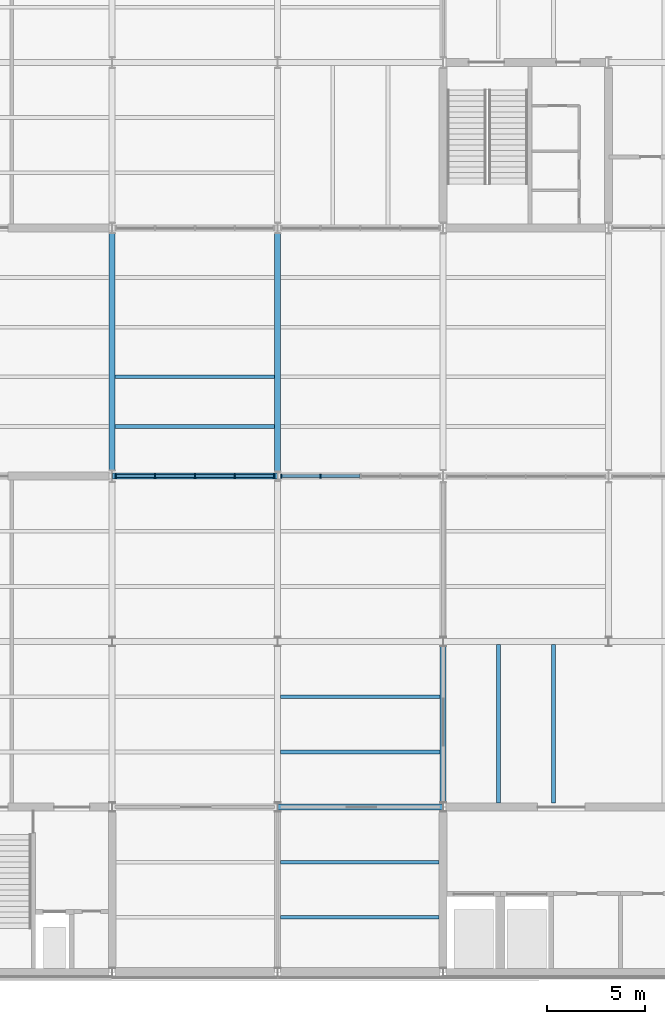
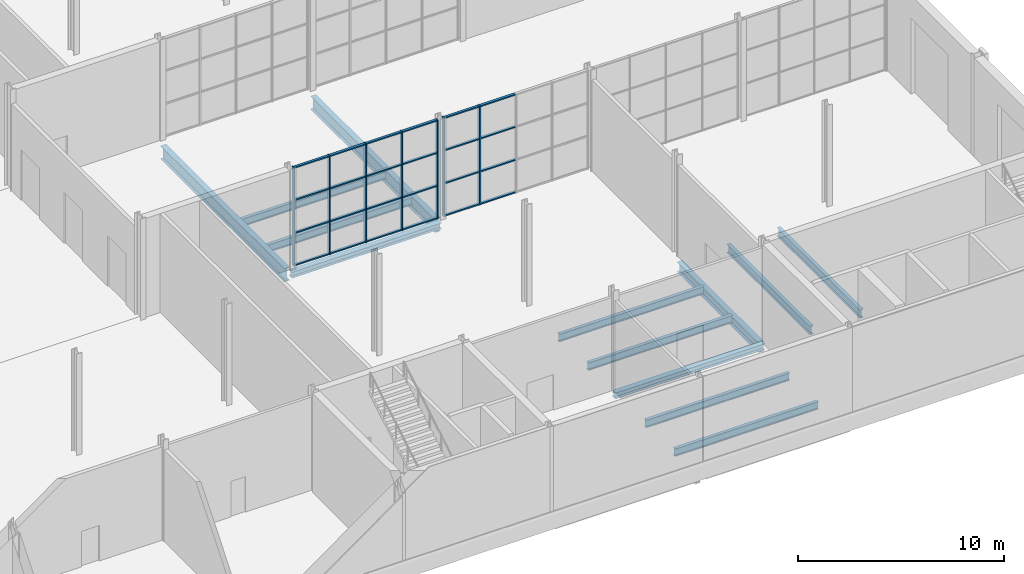
# One storey, part 20 of 55: 31 members, 13 beams, 2 elements without a shape of their own.
"""IFC4 building model written with IfcOpenShell, lengths in metres."""

import ifcopenshell
import ifcopenshell.guid

model = None  # the IFC model being written
_history = None  # IfcOwnerHistory: only IFC2X3 demands one
_inside = {}  # id of a spatial element -> (the spatial element, [elements in it])
_under = {}  # id of a project, library or spatial element -> (it, [spatial elements below it])
_declared = {}  # id of a project -> (the project, [libraries it declares])
_typed = {}  # id of a type object -> (the type object, [elements of that type])
_made_of = {}  # id of a material, layer set ... -> (it, [elements and type objects made of it])


def new_model(schema):
    """Start an empty IFC model of exactly this schema.

    Asked for "IFC4X3", IfcOpenShell would pick the latest addendum, in which some entities
    have other attributes; the version numbers below select the first issue.
    IFC2X3 requires an IfcOwnerHistory on every rooted entity: one is made here for all.
    """
    global model, _history
    if schema == "IFC4X3":
        model = ifcopenshell.file(schema_version=(4, 3, 0, 0))
    else:
        model = ifcopenshell.file(schema=schema)
    _inside.clear()
    _under.clear()
    _declared.clear()
    _typed.clear()
    _made_of.clear()
    _history = None
    if model.schema == "IFC2X3":
        org = make("IfcOrganization", Name="unknown")
        user = make(
            "IfcPersonAndOrganization",
            ThePerson=make("IfcPerson", FamilyName="unknown"),
            TheOrganization=org,
        )
        app = make(
            "IfcApplication",
            ApplicationDeveloper=org,
            Version="unknown",
            ApplicationFullName="unknown",
            ApplicationIdentifier="unknown",
        )
        _history = make(
            "IfcOwnerHistory",
            OwningUser=user,
            OwningApplication=app,
            ChangeAction="ADDED",
            CreationDate=0,
        )
    return model


def make(cls, **values):
    """One entity of the class cls with the attributes given. An attribute that is None is left unset."""
    return model.create_entity(
        cls, **{name: value for name, value in values.items() if value is not None}
    )


def rooted(cls, **values):
    """An entity with a GlobalId (a new one), such as an element, a storey or a relation."""
    return make(cls, GlobalId=ifcopenshell.guid.new(), OwnerHistory=_history, **values)


def si_unit(unit_type, name, prefix=None):
    """IfcSIUnit, for example si_unit("LENGTHUNIT", "METRE", prefix="MILLI")."""
    return make("IfcSIUnit", UnitType=unit_type, Prefix=prefix, Name=name)


def assignment(units):
    """IfcUnitAssignment: the units of a project."""
    return None if units is None else make("IfcUnitAssignment", Units=units)


def point(xyz):
    """IfcCartesianPoint."""
    return None if xyz is None else make("IfcCartesianPoint", Coordinates=xyz)


def direction(xyz):
    """IfcDirection."""
    return None if xyz is None else make("IfcDirection", DirectionRatios=xyz)


def frame(location, z_axis=None, x_axis=None):
    """IfcAxis2Placement3D, a coordinate frame: its origin and axes. An axis left out is left unset."""
    return make(
        "IfcAxis2Placement3D",
        Location=point(location),
        Axis=direction(z_axis),
        RefDirection=direction(x_axis),
    )


def frame_2d(location, x_axis=None):
    """IfcAxis2Placement2D, a coordinate frame in the plane: its origin and x axis."""
    return make(
        "IfcAxis2Placement2D", Location=point(location), RefDirection=direction(x_axis)
    )


def origin():
    """The frame at (0, 0, 0) with its axes left unset."""
    return frame((0.0, 0.0, 0.0))


def origin_2d():
    """The frame at (0, 0) in the plane with its x axis left unset."""
    return frame_2d((0.0, 0.0))


def place(relative_to, where):
    """IfcLocalPlacement: puts the frame where relative to a parent placement (None: the world)."""
    return make(
        "IfcLocalPlacement", PlacementRelTo=relative_to, RelativePlacement=where
    )


def context(
    kind, dimensions, precision=None, world=None, true_north=None, identifier=None
):
    """IfcGeometricRepresentationContext, for example the 3D "Model" context."""
    return make(
        "IfcGeometricRepresentationContext",
        ContextIdentifier=identifier,
        ContextType=kind,
        CoordinateSpaceDimension=dimensions,
        Precision=precision,
        WorldCoordinateSystem=world,
        TrueNorth=true_north,
    )


def subcontext(parent, identifier, kind, view, scale=None):
    """IfcGeometricRepresentationSubContext, for example "Body" below "Model"."""
    return make(
        "IfcGeometricRepresentationSubContext",
        ContextIdentifier=identifier,
        ContextType=kind,
        ParentContext=parent,
        TargetScale=scale,
        TargetView=view,
    )


def project(units=None, contexts=None):
    """IfcProject with its units and contexts."""
    return rooted(
        "IfcProject",
        Name="project",
        RepresentationContexts=contexts,
        UnitsInContext=assignment(units),
    )


def spatial(cls, under=None, at=None, **own):
    """A site, building, storey or space (cls), placed at a placement, below another one or the project."""
    s = rooted(cls, ObjectPlacement=at, **own)
    if under is not None:
        _under.setdefault(under.id(), (under, []))[1].append(s)
    return s


def profile(cls, at=None, kind="AREA", **sizes):
    """A parametric profile (cls). Its sizes go by their IFC names, for example OverallWidth=200.0."""
    return make(cls, ProfileType=kind, Position=at, **sizes)


def rectangle(**sizes):
    """IfcRectangleProfileDef."""
    return profile("IfcRectangleProfileDef", **sizes)


def i_section(**sizes):
    """IfcIShapeProfileDef."""
    return profile("IfcIShapeProfileDef", **sizes)


def extrude(swept, where, along, depth):
    """IfcExtrudedAreaSolid: the profile swept, set in the frame where, extruded along a direction by depth."""
    return make(
        "IfcExtrudedAreaSolid",
        SweptArea=swept,
        Position=where,
        ExtrudedDirection=direction(along),
        Depth=depth,
    )


def shape(context_of_items, identifier, shape_type, items):
    """IfcShapeRepresentation: the items that make up one representation, for example the "Body"."""
    return make(
        "IfcShapeRepresentation",
        ContextOfItems=context_of_items,
        RepresentationIdentifier=identifier,
        RepresentationType=shape_type,
        Items=items,
    )


def material(Name=None, Category=None):
    """IfcMaterial."""
    return make("IfcMaterial", Name=Name, Category=Category)


def layer(
    of_material, thickness, ventilated=None, Name=None, Category=None, Priority=None
):
    """IfcMaterialLayer: one layer of a wall or slab, of a material (None: an air gap)."""
    return make(
        "IfcMaterialLayer",
        Material=of_material,
        LayerThickness=thickness,
        IsVentilated=ventilated,
        Name=Name,
        Category=Category,
        Priority=Priority,
    )


def layer_set(layers, Name=None):
    """IfcMaterialLayerSet."""
    return make("IfcMaterialLayerSet", MaterialLayers=layers, LayerSetName=Name)


def material_profile(
    of_material, cross_section, Name=None, Category=None, Priority=None
):
    """IfcMaterialProfile: a cross section and its material."""
    return make(
        "IfcMaterialProfile",
        Name=Name,
        Material=of_material,
        Profile=cross_section,
        Priority=Priority,
        Category=Category,
    )


def profile_set(profiles, Name=None, composite=None):
    """IfcMaterialProfileSet."""
    return make(
        "IfcMaterialProfileSet",
        Name=Name,
        MaterialProfiles=profiles,
        CompositeProfile=composite,
    )


def made_of(thing, what):
    """Note that an element or type object is made of a material, layer set ...; save() writes the relation."""
    if what is not None:
        _made_of.setdefault(what.id(), (what, []))[1].append(thing)
    return thing


def type_object(cls, material=None, **own):
    """A type object (cls), such as IfcWallType, which elements share."""
    return made_of(rooted(cls, **own), material)


def element(
    cls,
    number,
    at=None,
    inside=None,
    cuts=None,
    type_object=None,
    material=None,
    context=None,
    identifier="Body",
    shape_type=None,
    held_by="IfcProductDefinitionShape",
    body=None,
    shapes=None,
    **own,
):
    """One element of the class cls, such as IfcWall. Its Tag is "e" and its number.

    at: its placement. inside: the storey or other place that contains it. cuts: it is an
    opening in that element (IfcRelVoidsElement). A single representation is given by context,
    identifier, shape_type and body (its items); several are given by shapes. held_by: the class
    of the entity that holds the representations. save() writes the other relations.
    """
    e = rooted(cls, Tag="e%d" % number, ObjectPlacement=at, **own)
    if body is not None:
        shapes = [shape(context, identifier, shape_type, body)]
    if shapes is not None:
        e.Representation = make(held_by, Representations=shapes)
    if inside is not None:
        _inside.setdefault(inside.id(), (inside, []))[1].append(e)
    if cuts is not None:
        rooted(
            "IfcRelVoidsElement", RelatingBuildingElement=cuts, RelatedOpeningElement=e
        )
    if type_object is not None:
        _typed.setdefault(type_object.id(), (type_object, []))[1].append(e)
    return made_of(e, material)


def aggregate(whole, parts):
    """IfcRelAggregates: a whole, such as a stair, and the parts it consists of."""
    return rooted("IfcRelAggregates", RelatingObject=whole, RelatedObjects=parts)


def save(model, path):
    """Write the relations noted so far, then the file.

    IfcRelAggregates (storeys below a building ...), IfcRelContainedInSpatialStructure (elements
    in a storey), IfcRelDefinesByType, IfcRelAssociatesMaterial and IfcRelDeclares: one each for
    every whole, place, type object, material and project.
    """
    for whole, parts in _under.values():
        aggregate(whole, parts)
    for where, things in _inside.values():
        rooted(
            "IfcRelContainedInSpatialStructure",
            RelatedElements=things,
            RelatingStructure=where,
        )
    for kind, things in _typed.values():
        rooted("IfcRelDefinesByType", RelatedObjects=things, RelatingType=kind)
    for what, things in _made_of.values():
        rooted("IfcRelAssociatesMaterial", RelatedObjects=things, RelatingMaterial=what)
    for by, libraries in _declared.values():
        rooted("IfcRelDeclares", RelatingContext=by, RelatedDefinitions=libraries)
    model.write(path)


model = new_model("IFC4")

# Units and contexts
model_context = context("Model", 3, precision=1e-05, world=origin(), true_north=direction((0.0, 1.0)))
body_context = subcontext(model_context, "Body", "Model", "MODEL_VIEW")
ifc_project = project(units=[si_unit("LENGTHUNIT", "METRE"), si_unit("AREAUNIT", "SQUARE_METRE"), si_unit("VOLUMEUNIT", "CUBIC_METRE"), si_unit("PLANEANGLEUNIT", "RADIAN"), si_unit("MASSUNIT", "GRAM", prefix="KILO")], contexts=[model_context])

# Site, building, storey
site_placement = place(None, origin())
site = spatial("IfcSite", under=ifc_project, at=site_placement, CompositionType="ELEMENT")
building_placement = place(site_placement, origin())
building = spatial("IfcBuilding", under=site, at=building_placement, Name="Galleria Vessillo Department Store", CompositionType="ELEMENT")
storey_placement = place(building_placement, origin())
storey = spatial("IfcBuildingStorey", under=building, at=storey_placement, Name="L00", CompositionType="ELEMENT", Elevation=0.0)

# Curtain wall, members
ifc_material_1 = material(Name="Aluminium and glass curtain wall", Category="aluminium")
ifc_layer = layer(ifc_material_1, 0.199951171875)
ifc_layer_set = layer_set([ifc_layer], Name="Aluminium and glass curtain wall")
curtain_wall_type = type_object("IfcCurtainWallType", Name="Arcade curtain wall CW1 2100 module", PredefinedType="NOTDEFINED", material=ifc_layer_set)
curtain_wall_1_placement = place(storey_placement, origin())
curtain_wall_1 = element("IfcCurtainWall", 1, at=curtain_wall_1_placement, inside=storey, type_object=curtain_wall_type, Name="Arcade curtain wall CW1 2100 module AI-AE-S-L00-01", PredefinedType="NOTDEFINED")
ifc_material_2 = material(Name="Aluminium alloy 6063 T6", Category="aluminium")
ifc_material_profile_1 = material_profile(ifc_material_2, rectangle(XDim=0.199951171875, YDim=0.06005859375, at=origin_2d()), Name="AL 60x200")
ifc_profile_set_1 = profile_set([ifc_material_profile_1], Name="Aluminium alloy 6063 T6")
member_type_1 = type_object("IfcMemberType", Name="Aluminium mullion 60 x 200", PredefinedType="MULLION", material=ifc_profile_set_1)
member_1_placement = place(storey_placement, frame((84.1826171875, 25.199951171875, 0.0), z_axis=(0.0, 0.0, 1.0), x_axis=(0.0, 1.0, 0.0)))
member_1 = element("IfcMember", 2, at=member_1_placement, type_object=member_type_1, Name="CW1 mullion 1", PredefinedType="MULLION", context=body_context, shape_type="SweptSolid", body=[
    extrude(rectangle(XDim=0.199951171875, YDim=0.06005859375, at=origin_2d()), origin(), (0.0, 0.0, 1.0), 5.85009765625),
])
member_2_placement = place(storey_placement, frame((86.17626953125, 25.199951171875, 0.0), z_axis=(0.0, 0.0, 1.0), x_axis=(0.0, 1.0, 0.0)))
member_2 = element("IfcMember", 3, at=member_2_placement, type_object=member_type_1, Name="CW1 mullion 2", PredefinedType="MULLION", context=body_context, shape_type="SweptSolid", body=[
    extrude(rectangle(XDim=0.199951171875, YDim=0.06005859375, at=origin_2d()), origin(), (0.0, 0.0, 1.0), 5.85009765625),
])
member_3_placement = place(storey_placement, frame((88.19970703125, 25.199951171875, 0.0), z_axis=(0.0, 0.0, 1.0), x_axis=(0.0, 1.0, 0.0)))
member_3 = element("IfcMember", 4, at=member_3_placement, type_object=member_type_1, Name="CW1 mullion 3", PredefinedType="MULLION", context=body_context, shape_type="SweptSolid", body=[
    extrude(rectangle(XDim=0.199951171875, YDim=0.06005859375, at=origin_2d()), origin(), (0.0, 0.0, 1.0), 5.85009765625),
])
member_4_placement = place(storey_placement, frame((90.223388671875, 25.199951171875, 0.0), z_axis=(0.0, 0.0, 1.0), x_axis=(0.0, 1.0, 0.0)))
member_4 = element("IfcMember", 5, at=member_4_placement, type_object=member_type_1, Name="CW1 mullion 4", PredefinedType="MULLION", context=body_context, shape_type="SweptSolid", body=[
    extrude(rectangle(XDim=0.199951171875, YDim=0.06005859375, at=origin_2d()), origin(), (0.0, 0.0, 1.0), 5.85009765625),
])
member_5_placement = place(storey_placement, frame((92.216796875, 25.199951171875, 0.0), z_axis=(0.0, 0.0, 1.0), x_axis=(0.0, 1.0, 0.0)))
member_5 = element("IfcMember", 6, at=member_5_placement, type_object=member_type_1, Name="CW1 mullion 5", PredefinedType="MULLION", context=body_context, shape_type="SweptSolid", body=[
    extrude(rectangle(XDim=0.199951171875, YDim=0.06005859375, at=origin_2d()), origin(), (0.0, 0.0, 1.0), 5.85009765625),
])

curtain_wall_2_placement = place(storey_placement, origin())
curtain_wall_2 = element("IfcCurtainWall", 7, at=curtain_wall_2_placement, inside=storey, type_object=curtain_wall_type, Name="Arcade curtain wall CW1 2100 module AI-AE-S-L00-02", PredefinedType="NOTDEFINED")
member_6_placement = place(storey_placement, frame((92.5830078125, 25.199951171875, 0.0), z_axis=(0.0, 0.0, 1.0), x_axis=(0.0, 1.0, 0.0)))
member_6 = element("IfcMember", 8, at=member_6_placement, type_object=member_type_1, Name="CW1 mullion 1", PredefinedType="MULLION", context=body_context, shape_type="SweptSolid", body=[
    extrude(rectangle(XDim=0.199951171875, YDim=0.06005859375, at=origin_2d()), origin(), (0.0, 0.0, 1.0), 5.85009765625),
])
member_7_placement = place(storey_placement, frame((94.57666015625, 25.199951171875, 0.0), z_axis=(0.0, 0.0, 1.0), x_axis=(0.0, 1.0, 0.0)))
member_7 = element("IfcMember", 9, at=member_7_placement, type_object=member_type_1, Name="CW1 mullion 2", PredefinedType="MULLION", context=body_context, shape_type="SweptSolid", body=[
    extrude(rectangle(XDim=0.199951171875, YDim=0.06005859375, at=origin_2d()), origin(), (0.0, 0.0, 1.0), 5.85009765625),
])

# Member
ifc_material_3 = material(Name="Aluminium alloy 6063 T6", Category="aluminium")
ifc_material_profile_2 = material_profile(ifc_material_3, rectangle(XDim=0.139892578125, YDim=0.070068359375, at=origin_2d()), Name="AL 70x140")
ifc_profile_set_2 = profile_set([ifc_material_profile_2], Name="Aluminium alloy 6063 T6")
member_type_2 = type_object("IfcMemberType", Name="Aluminium transom 70 x 140", PredefinedType="USERDEFINED", material=ifc_profile_set_2)
member_8_placement = place(storey_placement, frame((84.212646484375, 25.199951171875, 0.034912109375), z_axis=(1.0, 0.0, 0.0), x_axis=(0.0, 1.0, 0.0)))
member_8 = element("IfcMember", 10, at=member_8_placement, type_object=member_type_2, Name="CW1 transom 1.1", ObjectType="TRANSOM", PredefinedType="USERDEFINED", context=body_context, shape_type="SweptSolid", body=[
    extrude(rectangle(XDim=0.139892578125, YDim=0.070068359375, at=origin_2d()), origin(), (0.0, 0.0, 1.0), 1.93359375),
])

member_9_placement = place(storey_placement, frame((84.212646484375, 25.199951171875, 1.949951171875), z_axis=(1.0, 0.0, 0.0), x_axis=(0.0, 1.0, 0.0)))
member_9 = element("IfcMember", 11, at=member_9_placement, type_object=member_type_2, Name="CW1 transom 1.2", ObjectType="TRANSOM", PredefinedType="USERDEFINED", context=body_context, shape_type="SweptSolid", body=[
    extrude(rectangle(XDim=0.139892578125, YDim=0.070068359375, at=origin_2d()), origin(), (0.0, 0.0, 1.0), 1.93359375),
])

member_10_placement = place(storey_placement, frame((84.212646484375, 25.199951171875, 3.900146484375), z_axis=(1.0, 0.0, 0.0), x_axis=(0.0, 1.0, 0.0)))
member_10 = element("IfcMember", 12, at=member_10_placement, type_object=member_type_2, Name="CW1 transom 1.3", ObjectType="TRANSOM", PredefinedType="USERDEFINED", context=body_context, shape_type="SweptSolid", body=[
    extrude(rectangle(XDim=0.139892578125, YDim=0.070068359375, at=origin_2d()), origin(), (0.0, 0.0, 1.0), 1.93359375),
])

member_11_placement = place(storey_placement, frame((84.212646484375, 25.199951171875, 5.815185546875), z_axis=(1.0, 0.0, 0.0), x_axis=(0.0, 1.0, 0.0)))
member_11 = element("IfcMember", 13, at=member_11_placement, type_object=member_type_2, Name="CW1 transom 1.4", ObjectType="TRANSOM", PredefinedType="USERDEFINED", context=body_context, shape_type="SweptSolid", body=[
    extrude(rectangle(XDim=0.139892578125, YDim=0.070068359375, at=origin_2d()), origin(), (0.0, 0.0, 1.0), 1.93359375),
])

member_12_placement = place(storey_placement, frame((86.2060546875, 25.199951171875, 0.034912109375), z_axis=(1.0, 0.0, 0.0), x_axis=(0.0, 1.0, 0.0)))
member_12 = element("IfcMember", 14, at=member_12_placement, type_object=member_type_2, Name="CW1 transom 2.1", ObjectType="TRANSOM", PredefinedType="USERDEFINED", context=body_context, shape_type="SweptSolid", body=[
    extrude(rectangle(XDim=0.139892578125, YDim=0.070068359375, at=origin_2d()), origin(), (0.0, 0.0, 1.0), 1.963623046875),
])

member_13_placement = place(storey_placement, frame((86.2060546875, 25.199951171875, 1.949951171875), z_axis=(1.0, 0.0, 0.0), x_axis=(0.0, 1.0, 0.0)))
member_13 = element("IfcMember", 15, at=member_13_placement, type_object=member_type_2, Name="CW1 transom 2.2", ObjectType="TRANSOM", PredefinedType="USERDEFINED", context=body_context, shape_type="SweptSolid", body=[
    extrude(rectangle(XDim=0.139892578125, YDim=0.070068359375, at=origin_2d()), origin(), (0.0, 0.0, 1.0), 1.963623046875),
])

member_14_placement = place(storey_placement, frame((86.2060546875, 25.199951171875, 3.900146484375), z_axis=(1.0, 0.0, 0.0), x_axis=(0.0, 1.0, 0.0)))
member_14 = element("IfcMember", 16, at=member_14_placement, type_object=member_type_2, Name="CW1 transom 2.3", ObjectType="TRANSOM", PredefinedType="USERDEFINED", context=body_context, shape_type="SweptSolid", body=[
    extrude(rectangle(XDim=0.139892578125, YDim=0.070068359375, at=origin_2d()), origin(), (0.0, 0.0, 1.0), 1.963623046875),
])

member_15_placement = place(storey_placement, frame((86.2060546875, 25.199951171875, 5.815185546875), z_axis=(1.0, 0.0, 0.0), x_axis=(0.0, 1.0, 0.0)))
member_15 = element("IfcMember", 17, at=member_15_placement, type_object=member_type_2, Name="CW1 transom 2.4", ObjectType="TRANSOM", PredefinedType="USERDEFINED", context=body_context, shape_type="SweptSolid", body=[
    extrude(rectangle(XDim=0.139892578125, YDim=0.070068359375, at=origin_2d()), origin(), (0.0, 0.0, 1.0), 1.963623046875),
])

member_16_placement = place(storey_placement, frame((88.229736328125, 25.199951171875, 0.034912109375), z_axis=(1.0, 0.0, 0.0), x_axis=(0.0, 1.0, 0.0)))
member_16 = element("IfcMember", 18, at=member_16_placement, type_object=member_type_2, Name="CW1 transom 3.1", ObjectType="TRANSOM", PredefinedType="USERDEFINED", context=body_context, shape_type="SweptSolid", body=[
    extrude(rectangle(XDim=0.139892578125, YDim=0.070068359375, at=origin_2d()), origin(), (0.0, 0.0, 1.0), 1.963623046875),
])

member_17_placement = place(storey_placement, frame((88.229736328125, 25.199951171875, 1.949951171875), z_axis=(1.0, 0.0, 0.0), x_axis=(0.0, 1.0, 0.0)))
member_17 = element("IfcMember", 19, at=member_17_placement, type_object=member_type_2, Name="CW1 transom 3.2", ObjectType="TRANSOM", PredefinedType="USERDEFINED", context=body_context, shape_type="SweptSolid", body=[
    extrude(rectangle(XDim=0.139892578125, YDim=0.070068359375, at=origin_2d()), origin(), (0.0, 0.0, 1.0), 1.963623046875),
])

member_18_placement = place(storey_placement, frame((88.229736328125, 25.199951171875, 3.900146484375), z_axis=(1.0, 0.0, 0.0), x_axis=(0.0, 1.0, 0.0)))
member_18 = element("IfcMember", 20, at=member_18_placement, type_object=member_type_2, Name="CW1 transom 3.3", ObjectType="TRANSOM", PredefinedType="USERDEFINED", context=body_context, shape_type="SweptSolid", body=[
    extrude(rectangle(XDim=0.139892578125, YDim=0.070068359375, at=origin_2d()), origin(), (0.0, 0.0, 1.0), 1.963623046875),
])

member_19_placement = place(storey_placement, frame((88.229736328125, 25.199951171875, 5.815185546875), z_axis=(1.0, 0.0, 0.0), x_axis=(0.0, 1.0, 0.0)))
member_19 = element("IfcMember", 21, at=member_19_placement, type_object=member_type_2, Name="CW1 transom 3.4", ObjectType="TRANSOM", PredefinedType="USERDEFINED", context=body_context, shape_type="SweptSolid", body=[
    extrude(rectangle(XDim=0.139892578125, YDim=0.070068359375, at=origin_2d()), origin(), (0.0, 0.0, 1.0), 1.963623046875),
])

member_20_placement = place(storey_placement, frame((90.253173828125, 25.199951171875, 0.034912109375), z_axis=(1.0, 0.0, 0.0), x_axis=(0.0, 1.0, 0.0)))
member_20 = element("IfcMember", 22, at=member_20_placement, type_object=member_type_2, Name="CW1 transom 4.1", ObjectType="TRANSOM", PredefinedType="USERDEFINED", context=body_context, shape_type="SweptSolid", body=[
    extrude(rectangle(XDim=0.139892578125, YDim=0.070068359375, at=origin_2d()), origin(), (0.0, 0.0, 1.0), 1.93359375),
])

member_21_placement = place(storey_placement, frame((90.253173828125, 25.199951171875, 1.949951171875), z_axis=(1.0, 0.0, 0.0), x_axis=(0.0, 1.0, 0.0)))
member_21 = element("IfcMember", 23, at=member_21_placement, type_object=member_type_2, Name="CW1 transom 4.2", ObjectType="TRANSOM", PredefinedType="USERDEFINED", context=body_context, shape_type="SweptSolid", body=[
    extrude(rectangle(XDim=0.139892578125, YDim=0.070068359375, at=origin_2d()), origin(), (0.0, 0.0, 1.0), 1.93359375),
])

member_22_placement = place(storey_placement, frame((90.253173828125, 25.199951171875, 3.900146484375), z_axis=(1.0, 0.0, 0.0), x_axis=(0.0, 1.0, 0.0)))
member_22 = element("IfcMember", 24, at=member_22_placement, type_object=member_type_2, Name="CW1 transom 4.3", ObjectType="TRANSOM", PredefinedType="USERDEFINED", context=body_context, shape_type="SweptSolid", body=[
    extrude(rectangle(XDim=0.139892578125, YDim=0.070068359375, at=origin_2d()), origin(), (0.0, 0.0, 1.0), 1.93359375),
])

member_23_placement = place(storey_placement, frame((90.253173828125, 25.199951171875, 5.815185546875), z_axis=(1.0, 0.0, 0.0), x_axis=(0.0, 1.0, 0.0)))
member_23 = element("IfcMember", 25, at=member_23_placement, type_object=member_type_2, Name="CW1 transom 4.4", ObjectType="TRANSOM", PredefinedType="USERDEFINED", context=body_context, shape_type="SweptSolid", body=[
    extrude(rectangle(XDim=0.139892578125, YDim=0.070068359375, at=origin_2d()), origin(), (0.0, 0.0, 1.0), 1.93359375),
])

aggregate(curtain_wall_1, [member_1, member_2, member_3, member_4, member_5, member_8, member_9, member_10, member_11, member_12, member_13, member_14, member_15, member_16, member_17, member_18, member_19, member_20, member_21, member_22, member_23])

member_24_placement = place(storey_placement, frame((92.613037109375, 25.199951171875, 0.034912109375), z_axis=(1.0, 0.0, 0.0), x_axis=(0.0, 1.0, 0.0)))
member_24 = element("IfcMember", 26, at=member_24_placement, type_object=member_type_2, Name="CW1 transom 1.1", ObjectType="TRANSOM", PredefinedType="USERDEFINED", context=body_context, shape_type="SweptSolid", body=[
    extrude(rectangle(XDim=0.139892578125, YDim=0.070068359375, at=origin_2d()), origin(), (0.0, 0.0, 1.0), 1.93359375),
])

member_25_placement = place(storey_placement, frame((92.613037109375, 25.199951171875, 1.949951171875), z_axis=(1.0, 0.0, 0.0), x_axis=(0.0, 1.0, 0.0)))
member_25 = element("IfcMember", 27, at=member_25_placement, type_object=member_type_2, Name="CW1 transom 1.2", ObjectType="TRANSOM", PredefinedType="USERDEFINED", context=body_context, shape_type="SweptSolid", body=[
    extrude(rectangle(XDim=0.139892578125, YDim=0.070068359375, at=origin_2d()), origin(), (0.0, 0.0, 1.0), 1.93359375),
])

member_26_placement = place(storey_placement, frame((92.613037109375, 25.199951171875, 3.900146484375), z_axis=(1.0, 0.0, 0.0), x_axis=(0.0, 1.0, 0.0)))
member_26 = element("IfcMember", 28, at=member_26_placement, type_object=member_type_2, Name="CW1 transom 1.3", ObjectType="TRANSOM", PredefinedType="USERDEFINED", context=body_context, shape_type="SweptSolid", body=[
    extrude(rectangle(XDim=0.139892578125, YDim=0.070068359375, at=origin_2d()), origin(), (0.0, 0.0, 1.0), 1.93359375),
])

member_27_placement = place(storey_placement, frame((92.613037109375, 25.199951171875, 5.815185546875), z_axis=(1.0, 0.0, 0.0), x_axis=(0.0, 1.0, 0.0)))
member_27 = element("IfcMember", 29, at=member_27_placement, type_object=member_type_2, Name="CW1 transom 1.4", ObjectType="TRANSOM", PredefinedType="USERDEFINED", context=body_context, shape_type="SweptSolid", body=[
    extrude(rectangle(XDim=0.139892578125, YDim=0.070068359375, at=origin_2d()), origin(), (0.0, 0.0, 1.0), 1.93359375),
])

member_28_placement = place(storey_placement, frame((94.606689453125, 25.199951171875, 0.034912109375), z_axis=(1.0, 0.0, 0.0), x_axis=(0.0, 1.0, 0.0)))
member_28 = element("IfcMember", 30, at=member_28_placement, type_object=member_type_2, Name="CW1 transom 2.1", ObjectType="TRANSOM", PredefinedType="USERDEFINED", context=body_context, shape_type="SweptSolid", body=[
    extrude(rectangle(XDim=0.139892578125, YDim=0.070068359375, at=origin_2d()), origin(), (0.0, 0.0, 1.0), 1.963623046875),
])

member_29_placement = place(storey_placement, frame((94.606689453125, 25.199951171875, 1.949951171875), z_axis=(1.0, 0.0, 0.0), x_axis=(0.0, 1.0, 0.0)))
member_29 = element("IfcMember", 31, at=member_29_placement, type_object=member_type_2, Name="CW1 transom 2.2", ObjectType="TRANSOM", PredefinedType="USERDEFINED", context=body_context, shape_type="SweptSolid", body=[
    extrude(rectangle(XDim=0.139892578125, YDim=0.070068359375, at=origin_2d()), origin(), (0.0, 0.0, 1.0), 1.963623046875),
])

member_30_placement = place(storey_placement, frame((94.606689453125, 25.199951171875, 3.900146484375), z_axis=(1.0, 0.0, 0.0), x_axis=(0.0, 1.0, 0.0)))
member_30 = element("IfcMember", 32, at=member_30_placement, type_object=member_type_2, Name="CW1 transom 2.3", ObjectType="TRANSOM", PredefinedType="USERDEFINED", context=body_context, shape_type="SweptSolid", body=[
    extrude(rectangle(XDim=0.139892578125, YDim=0.070068359375, at=origin_2d()), origin(), (0.0, 0.0, 1.0), 1.963623046875),
])

member_31_placement = place(storey_placement, frame((94.606689453125, 25.199951171875, 5.815185546875), z_axis=(1.0, 0.0, 0.0), x_axis=(0.0, 1.0, 0.0)))
member_31 = element("IfcMember", 33, at=member_31_placement, type_object=member_type_2, Name="CW1 transom 2.4", ObjectType="TRANSOM", PredefinedType="USERDEFINED", context=body_context, shape_type="SweptSolid", body=[
    extrude(rectangle(XDim=0.139892578125, YDim=0.070068359375, at=origin_2d()), origin(), (0.0, 0.0, 1.0), 1.963623046875),
])

aggregate(curtain_wall_2, [member_6, member_7, member_24, member_25, member_26, member_27, member_28, member_29, member_30, member_31])

# Beams
ifc_material_4 = material(Name="Steel S355 J2", Category="steel")
ifc_material_profile_3 = material_profile(ifc_material_4, i_section(OverallWidth=0.300048828125, OverallDepth=0.590087890625, WebThickness=0.012939453125, FlangeThickness=0.02490234375, FilletRadius=0.027099609375, at=origin_2d()), Name="HEA 600")
ifc_profile_set_3 = profile_set([ifc_material_profile_3], Name="Steel S355 J2")
beam_type_1 = type_object("IfcBeamType", Name="Floor girder HEA 600", PredefinedType="BEAM", material=ifc_profile_set_3)
beam_1_placement = place(storey_placement, frame((100.800048828125, 8.650146484375, -0.594970703125), z_axis=(0.0, 1.0, 0.0), x_axis=(-1.0, 0.0, 0.0)))
element("IfcBeam", 34, at=beam_1_placement, inside=storey, type_object=beam_type_1, Name="S-BM-L00-GI-y100800-8650", PredefinedType="BEAM", context=body_context, shape_type="SweptSolid", body=[
    extrude(i_section(OverallWidth=0.300048828125, OverallDepth=0.590087890625, WebThickness=0.012939453125, FlangeThickness=0.02490234375, FilletRadius=0.027099609375, at=origin_2d()), origin(), (0.0, 0.0, 1.0), 7.899658203125),
])
ifc_material_5 = material(Name="Steel S355 J2", Category="steel")
ifc_material_profile_4 = material_profile(ifc_material_5, i_section(OverallWidth=0.300048828125, OverallDepth=0.7900390625, WebThickness=0.014892578125, FlangeThickness=0.028076171875, FilletRadius=0.030029296875, at=origin_2d()), Name="HEA 800")
ifc_profile_set_4 = profile_set([ifc_material_profile_4], Name="Steel S355 J2")
beam_type_2 = type_object("IfcBeamType", Name="Floor girder HEA 800", PredefinedType="BEAM", material=ifc_profile_set_4)
beam_2_placement = place(storey_placement, frame((84.0, 25.51025390625, -0.64501953125), z_axis=(0.0, 1.0, 0.0), x_axis=(-1.0, 0.0, 0.0)))
element("IfcBeam", 35, at=beam_2_placement, inside=storey, type_object=beam_type_2, Name="S-BM-L00-GI-y84000-25510", PredefinedType="BEAM", context=body_context, shape_type="SweptSolid", body=[
    extrude(i_section(OverallWidth=0.300048828125, OverallDepth=0.7900390625, WebThickness=0.014892578125, FlangeThickness=0.028076171875, FilletRadius=0.030029296875, at=origin_2d()), origin(), (0.0, 0.0, 1.0), 12.003662109375),
])
beam_3_placement = place(storey_placement, frame((92.39990234375, 25.462158203125, -0.64501953125), z_axis=(0.0, 1.0, 0.0), x_axis=(-1.0, 0.0, 0.0)))
element("IfcBeam", 36, at=beam_3_placement, inside=storey, type_object=beam_type_2, Name="S-BM-L00-GI-y92400-25462", PredefinedType="BEAM", context=body_context, shape_type="SweptSolid", body=[
    extrude(i_section(OverallWidth=0.300048828125, OverallDepth=0.7900390625, WebThickness=0.014892578125, FlangeThickness=0.028076171875, FilletRadius=0.030029296875, at=origin_2d()), origin(), (0.0, 0.0, 1.0), 12.0517578125),
])
ifc_material_6 = material(Name="Steel S355 J2", Category="steel")
ifc_material_profile_5 = material_profile(ifc_material_6, i_section(OverallWidth=0.18994140625, OverallDepth=0.449951171875, WebThickness=0.009521484375, FlangeThickness=0.0146484375, FilletRadius=0.02099609375, at=origin_2d()), Name="IPE 450")
ifc_profile_set_5 = profile_set([ifc_material_profile_5], Name="Steel S355 J2")
beam_type_3 = type_object("IfcBeamType", Name="Floor joist IPE 450", PredefinedType="JOIST", material=ifc_profile_set_5)
for number, where, z_axis, x_axis, name in (
    (37, (84.150146484375, 27.719970703125, -0.47509765625), (1.0, 0.0, 0.0), (0.0, 1.0, 0.0), "S-BM-L00-JO-x27720-84150"),
    (38, (84.150146484375, 30.239990234375, -0.47509765625), (1.0, 0.0, 0.0), (0.0, 1.0, 0.0), "S-BM-L00-JO-x30240-84150"),
):
    element("IfcBeam", number, at=place(storey_placement, frame(where, z_axis=z_axis, x_axis=x_axis)), inside=storey, type_object=beam_type_3, Name=name, PredefinedType="JOIST", context=body_context, shape_type="SweptSolid", body=[
        extrude(i_section(OverallWidth=0.18994140625, OverallDepth=0.449951171875, WebThickness=0.009521484375, FlangeThickness=0.0146484375, FilletRadius=0.02099609375, at=origin_2d()), origin(), (0.0, 0.0, 1.0), 8.099609375),
    ])
for number, where, z_axis, x_axis, name in (
    (39, (92.550048828125, 2.800048828125, -0.375), (1.0, 0.0, 0.0), (0.0, 1.0, 0.0), "S-BM-L00-JO-x2800-92550"),
    (40, (92.550048828125, 5.60009765625, -0.375), (1.0, 0.0, 0.0), (0.0, 1.0, 0.0), "S-BM-L00-JO-x5600-92550"),
):
    element("IfcBeam", number, at=place(storey_placement, frame(where, z_axis=z_axis, x_axis=x_axis)), inside=storey, type_object=beam_type_3, Name=name, PredefinedType="JOIST", context=body_context, shape_type="SweptSolid", body=[
        extrude(i_section(OverallWidth=0.18994140625, OverallDepth=0.449951171875, WebThickness=0.009521484375, FlangeThickness=0.0146484375, FilletRadius=0.02099609375, at=origin_2d()), origin(), (0.0, 0.0, 1.0), 8.0498046875),
    ])
for number, where, z_axis, x_axis, name in (
    (41, (92.550048828125, 11.199951171875, -0.375), (1.0, 0.0, 0.0), (0.0, 1.0, 0.0), "S-BM-L00-JO-x11200-92550"),
    (42, (92.550048828125, 14.0, -0.375), (1.0, 0.0, 0.0), (0.0, 1.0, 0.0), "S-BM-L00-JO-x14000-92550"),
):
    element("IfcBeam", number, at=place(storey_placement, frame(where, z_axis=z_axis, x_axis=x_axis)), inside=storey, type_object=beam_type_3, Name=name, PredefinedType="JOIST", context=body_context, shape_type="SweptSolid", body=[
        extrude(i_section(OverallWidth=0.18994140625, OverallDepth=0.449951171875, WebThickness=0.009521484375, FlangeThickness=0.0146484375, FilletRadius=0.02099609375, at=origin_2d()), origin(), (0.0, 0.0, 1.0), 8.099853515625),
    ])
ifc_material_7 = material(Name="Steel S355 J2", Category="steel")
ifc_material_profile_6 = material_profile(ifc_material_7, i_section(OverallWidth=0.199951171875, OverallDepth=0.5, WebThickness=0.01025390625, FlangeThickness=0.01611328125, FilletRadius=0.02099609375, at=origin_2d()), Name="IPE 500")
ifc_profile_set_6 = profile_set([ifc_material_profile_6], Name="Steel S355 J2")
beam_type_4 = type_object("IfcBeamType", Name="Floor joist IPE 500", PredefinedType="JOIST", material=ifc_profile_set_6)
for number, where, z_axis, x_axis, name in (
    (43, (103.60009765625, 8.60009765625, -0.550048828125), (0.0, 1.0, 0.0), (-1.0, 0.0, 0.0), "S-BM-L00-JO-y103600-8600"),
    (44, (106.39990234375, 8.60009765625, -0.550048828125), (0.0, 1.0, 0.0), (-1.0, 0.0, 0.0), "S-BM-L00-JO-y106400-8600"),
):
    element("IfcBeam", number, at=place(storey_placement, frame(where, z_axis=z_axis, x_axis=x_axis)), inside=storey, type_object=beam_type_4, Name=name, PredefinedType="JOIST", context=body_context, shape_type="SweptSolid", body=[
        extrude(i_section(OverallWidth=0.199951171875, OverallDepth=0.5, WebThickness=0.01025390625, FlangeThickness=0.01611328125, FilletRadius=0.02099609375, at=origin_2d()), origin(), (0.0, 0.0, 1.0), 8.0498046875),
    ])
ifc_material_8 = material(Name="Steel S355 J2", Category="steel")
ifc_material_profile_7 = material_profile(ifc_material_8, i_section(OverallWidth=0.300048828125, OverallDepth=0.35009765625, WebThickness=0.010009765625, FlangeThickness=0.017578125, FilletRadius=0.027099609375, at=origin_2d()), Name="HEA 360")
ifc_profile_set_7 = profile_set([ifc_material_profile_7], Name="Steel S355 J2")
beam_type_5 = type_object("IfcBeamType", Name="Floor tie girder HEA 360", PredefinedType="BEAM", material=ifc_profile_set_7)
beam_4_placement = place(storey_placement, frame((92.407470703125, 8.39990234375, -0.324951171875), z_axis=(1.0, 0.0, 0.0), x_axis=(0.0, 1.0, 0.0)))
element("IfcBeam", 45, at=beam_4_placement, inside=storey, type_object=beam_type_5, Name="S-BM-L00-TI-x8400-92407", PredefinedType="BEAM", context=body_context, shape_type="SweptSolid", body=[
    extrude(i_section(OverallWidth=0.300048828125, OverallDepth=0.35009765625, WebThickness=0.010009765625, FlangeThickness=0.017578125, FilletRadius=0.027099609375, at=origin_2d()), origin(), (0.0, 0.0, 1.0), 8.38525390625),
])
beam_5_placement = place(storey_placement, frame((84.0107421875, 25.199951171875, -0.425048828125), z_axis=(1.0, 0.0, 0.0), x_axis=(0.0, 1.0, 0.0)))
element("IfcBeam", 46, at=beam_5_placement, inside=storey, type_object=beam_type_5, Name="S-BM-L00-TI-x25200-84011", PredefinedType="BEAM", context=body_context, shape_type="SweptSolid", body=[
    extrude(i_section(OverallWidth=0.300048828125, OverallDepth=0.35009765625, WebThickness=0.010009765625, FlangeThickness=0.017578125, FilletRadius=0.027099609375, at=origin_2d()), origin(), (0.0, 0.0, 1.0), 8.378662109375),
])

save(model, "model.ifc")
